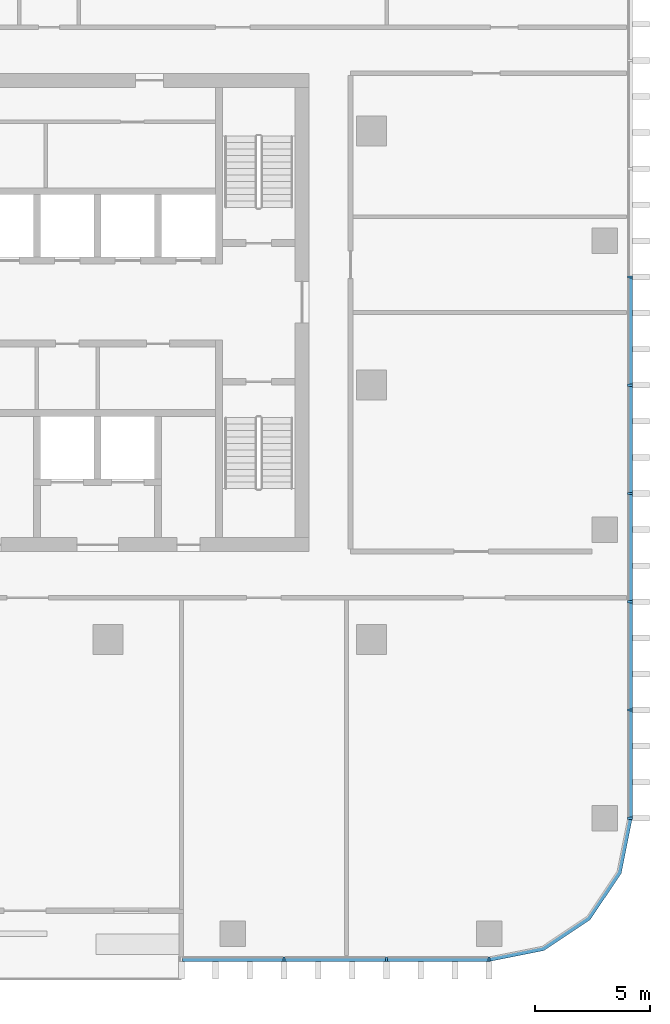
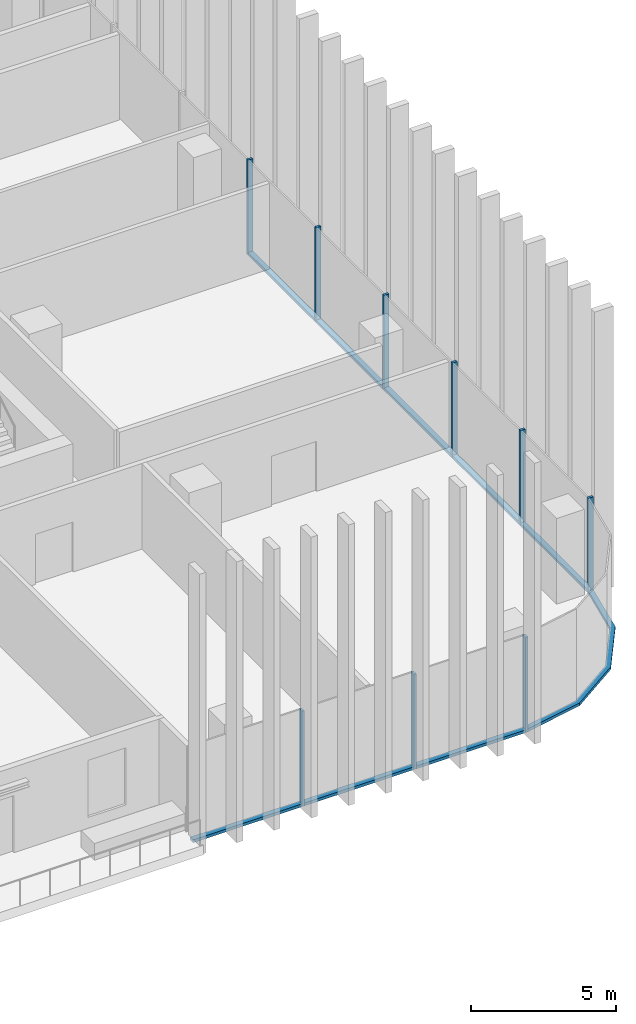
# One storey, part 3 of 16: 18 members, 3 elements without a shape of their own.
"""IFC4 building model written with IfcOpenShell, lengths in metres."""

from ifc_helpers import new_model, si_unit, direction, frame, origin, origin_2d, place, context, subcontext, project, spatial, polyline, rectangle, outline, extrude, material, material_profile, profile_set, type_object, element, aggregate, save


model = new_model("IFC4")

# Units and contexts
model_context = context("Model", 3, precision=1e-05, world=origin(), true_north=direction((0.0, 1.0)))
body_context = subcontext(model_context, "Body", "Model", "MODEL_VIEW")
ifc_project = project(units=[si_unit("LENGTHUNIT", "METRE"), si_unit("AREAUNIT", "SQUARE_METRE"), si_unit("VOLUMEUNIT", "CUBIC_METRE"), si_unit("PLANEANGLEUNIT", "RADIAN"), si_unit("MASSUNIT", "GRAM", prefix="KILO")], contexts=[model_context])

# Site, building, storey
site_placement = place(None, origin())
site = spatial("IfcSite", under=ifc_project, at=site_placement, CompositionType="ELEMENT")
building_placement = place(site_placement, origin())
building = spatial("IfcBuilding", under=site, at=building_placement, Name="Mopane Tessera Tower", CompositionType="ELEMENT")
storey_placement = place(building_placement, frame((0.0, 0.0, 247.0)))
storey = spatial("IfcBuildingStorey", under=building, at=storey_placement, Name="L53", CompositionType="ELEMENT", Elevation=247.0)

# Curtain wall, members
ifc_material_1 = material(Name="Aluminium frame", Category="aluminium")
curtain_wall_type = type_object("IfcCurtainWallType", Name="Unitised curtain wall", PredefinedType="NOTDEFINED", material=ifc_material_1)
curtain_wall_1_placement = place(storey_placement, origin())
curtain_wall_1 = element("IfcCurtainWall", 1, at=curtain_wall_1_placement, inside=storey, type_object=curtain_wall_type, Name="e:cw:L53:S:7", PredefinedType="NOTDEFINED")
ifc_material_2 = material(Name="Aluminium frame", Category="aluminium")
ifc_material_profile_1 = material_profile(ifc_material_2, rectangle(XDim=0.10009765625, YDim=0.199951171875, at=origin_2d()))
ifc_profile_set_1 = profile_set([ifc_material_profile_1], Name="Aluminium frame")
member_type_1 = type_object("IfcMemberType", Name="Aluminium mullion 100 x 200", PredefinedType="MULLION", material=ifc_profile_set_1)
member_1_placement = place(storey_placement, frame((13.320068359375, -24.85009765625, -0.39990234375), z_axis=(0.0, 0.0, 1.0), x_axis=(1.0, 0.0, 0.0)))
member_1 = element("IfcMember", 2, at=member_1_placement, type_object=member_type_1, Name="e:cw:L53:S:7:mu8", PredefinedType="MULLION", context=body_context, shape_type="SweptSolid", body=[
    extrude(rectangle(XDim=0.10009765625, YDim=0.199951171875, at=origin_2d()), origin(), (0.0, 0.0, 1.0), 4.0),
])
member_2_placement = place(storey_placement, frame((17.760009765625, -24.85009765625, -0.39990234375), z_axis=(0.0, 0.0, 1.0), x_axis=(1.0, 0.0, 0.0)))
member_2 = element("IfcMember", 3, at=member_2_placement, type_object=member_type_1, Name="e:cw:L53:S:7:mu9", PredefinedType="MULLION", context=body_context, shape_type="SweptSolid", body=[
    extrude(rectangle(XDim=0.10009765625, YDim=0.199951171875, at=origin_2d()), origin(), (0.0, 0.0, 1.0), 4.0),
])
member_3_placement = place(storey_placement, frame((22.199951171875, -24.85009765625, -0.39990234375), z_axis=(0.0, 0.0, 1.0), x_axis=(1.0, 0.0, 0.0)))
member_3 = element("IfcMember", 4, at=member_3_placement, type_object=member_type_1, Name="e:cw:L53:S:7:mu10", PredefinedType="MULLION", context=body_context, shape_type="SweptSolid", body=[
    extrude(rectangle(XDim=0.10009765625, YDim=0.199951171875, at=origin_2d()), origin(), (0.0, 0.0, 1.0), 4.0),
])

curtain_wall_2_placement = place(storey_placement, origin())
curtain_wall_2 = element("IfcCurtainWall", 5, at=curtain_wall_2_placement, inside=storey, type_object=curtain_wall_type, Name="e:cw:L53:E:0", PredefinedType="NOTDEFINED")
member_4_placement = place(storey_placement, frame((28.300048828125, -18.75, -0.39990234375), z_axis=(0.0, 0.0, 1.0), x_axis=(0.0, 1.0, 0.0)))
member_4 = element("IfcMember", 6, at=member_4_placement, type_object=member_type_1, Name="e:cw:L53:E:0:mu0", PredefinedType="MULLION", context=body_context, shape_type="SweptSolid", body=[
    extrude(rectangle(XDim=0.10009765625, YDim=0.199951171875, at=origin_2d()), origin(), (0.0, 0.0, 1.0), 4.0),
])
member_5_placement = place(storey_placement, frame((28.300048828125, -14.0625, -0.39990234375), z_axis=(0.0, 0.0, 1.0), x_axis=(0.0, 1.0, 0.0)))
member_5 = element("IfcMember", 7, at=member_5_placement, type_object=member_type_1, Name="e:cw:L53:E:0:mu1", PredefinedType="MULLION", context=body_context, shape_type="SweptSolid", body=[
    extrude(rectangle(XDim=0.10009765625, YDim=0.199951171875, at=origin_2d()), origin(), (0.0, 0.0, 1.0), 4.0),
])
member_6_placement = place(storey_placement, frame((28.300048828125, -9.375, -0.39990234375), z_axis=(0.0, 0.0, 1.0), x_axis=(0.0, 1.0, 0.0)))
member_6 = element("IfcMember", 8, at=member_6_placement, type_object=member_type_1, Name="e:cw:L53:E:0:mu2", PredefinedType="MULLION", context=body_context, shape_type="SweptSolid", body=[
    extrude(rectangle(XDim=0.10009765625, YDim=0.199951171875, at=origin_2d()), origin(), (0.0, 0.0, 1.0), 4.0),
])
member_7_placement = place(storey_placement, frame((28.300048828125, -4.6875, -0.39990234375), z_axis=(0.0, 0.0, 1.0), x_axis=(0.0, 1.0, 0.0)))
member_7 = element("IfcMember", 9, at=member_7_placement, type_object=member_type_1, Name="e:cw:L53:E:0:mu3", PredefinedType="MULLION", context=body_context, shape_type="SweptSolid", body=[
    extrude(rectangle(XDim=0.10009765625, YDim=0.199951171875, at=origin_2d()), origin(), (0.0, 0.0, 1.0), 4.0),
])
member_8_placement = place(storey_placement, frame((28.300048828125, 0.0, -0.39990234375), z_axis=(0.0, 0.0, 1.0), x_axis=(0.0, 1.0, 0.0)))
member_8 = element("IfcMember", 10, at=member_8_placement, type_object=member_type_1, Name="e:cw:L53:E:0:mu4", PredefinedType="MULLION", context=body_context, shape_type="SweptSolid", body=[
    extrude(rectangle(XDim=0.10009765625, YDim=0.199951171875, at=origin_2d()), origin(), (0.0, 0.0, 1.0), 4.0),
])
member_9_placement = place(storey_placement, frame((28.300048828125, 4.6875, -0.39990234375), z_axis=(0.0, 0.0, 1.0), x_axis=(0.0, 1.0, 0.0)))
member_9 = element("IfcMember", 11, at=member_9_placement, type_object=member_type_1, Name="e:cw:L53:E:0:mu5", PredefinedType="MULLION", context=body_context, shape_type="SweptSolid", body=[
    extrude(rectangle(XDim=0.10009765625, YDim=0.199951171875, at=origin_2d()), origin(), (0.0, 0.0, 1.0), 4.0),
])

# Member
ifc_material_3 = material(Name="Aluminium frame", Category="aluminium")
ifc_material_profile_2 = material_profile(ifc_material_3, rectangle(XDim=0.199951171875, YDim=0.1201171875, at=origin_2d()))
ifc_profile_set_2 = profile_set([ifc_material_profile_2], Name="Aluminium frame")
member_type_2 = type_object("IfcMemberType", Name="Aluminium transom 200 x 120", PredefinedType="USERDEFINED", material=ifc_profile_set_2)
member_10_placement = place(storey_placement, frame((8.929931640625, -24.85009765625, -0.340087890625), z_axis=(1.0, 0.0, 0.0), x_axis=(0.0, 1.0, 0.0)))
member_10 = element("IfcMember", 12, at=member_10_placement, type_object=member_type_2, Name="e:cw:L53:S:7:tr7", ObjectType="TRANSOM", PredefinedType="USERDEFINED", context=body_context, shape_type="SweptSolid", body=[
    extrude(rectangle(XDim=0.199951171875, YDim=0.1201171875, at=origin_2d()), origin(), (0.0, 0.0, 1.0), 4.340087890625),
])

member_11_placement = place(storey_placement, frame((13.3701171875, -24.85009765625, -0.340087890625), z_axis=(1.0, 0.0, 0.0), x_axis=(0.0, 1.0, 0.0)))
member_11 = element("IfcMember", 13, at=member_11_placement, type_object=member_type_2, Name="e:cw:L53:S:7:tr8", ObjectType="TRANSOM", PredefinedType="USERDEFINED", context=body_context, shape_type="SweptSolid", body=[
    extrude(rectangle(XDim=0.199951171875, YDim=0.1201171875, at=origin_2d()), origin(), (0.0, 0.0, 1.0), 4.33984375),
])

member_12_placement = place(storey_placement, frame((17.81005859375, -24.85009765625, -0.340087890625), z_axis=(1.0, 0.0, 0.0), x_axis=(0.0, 1.0, 0.0)))
member_12 = element("IfcMember", 14, at=member_12_placement, type_object=member_type_2, Name="e:cw:L53:S:7:tr9", ObjectType="TRANSOM", PredefinedType="USERDEFINED", context=body_context, shape_type="SweptSolid", body=[
    extrude(rectangle(XDim=0.199951171875, YDim=0.1201171875, at=origin_2d()), origin(), (0.0, 0.0, 1.0), 4.33984375),
])

aggregate(curtain_wall_1, [member_1, member_2, member_3, member_10, member_11, member_12])

# Curtain wall, member
curtain_wall_3_placement = place(storey_placement, origin())
curtain_wall_3 = element("IfcCurtainWall", 15, at=curtain_wall_3_placement, inside=storey, type_object=curtain_wall_type, Name="e:cw:L53:CS", PredefinedType="NOTDEFINED")
member_13_placement = place(storey_placement, frame((0.0, 0.0, -0.39990234375)))
member_13 = element("IfcMember", 16, at=member_13_placement, type_object=member_type_2, Name="e:cw:L53:CS:tr", ObjectType="TRANSOM", PredefinedType="USERDEFINED", context=body_context, shape_type="SweptSolid", body=[
    extrude(outline(polyline([(22.199951171875, -24.75), (24.49609375, -24.293212890625), (26.442626953125, -22.99267578125), (27.7431640625, -21.046142578125), (28.199951171875, -18.75), (28.39990234375, -18.75), (27.927978515625, -21.12255859375), (26.583984375, -23.134033203125), (24.57275390625, -24.47802734375), (22.199951171875, -24.949951171875), (22.199951171875, -24.75)])), origin(), (0.0, 0.0, 1.0), 0.119873046875),
])
aggregate(curtain_wall_3, [member_13])

# Member
member_14_placement = place(storey_placement, frame((28.300048828125, -18.699951171875, -0.340087890625), z_axis=(0.0, 1.0, 0.0), x_axis=(-1.0, 0.0, 0.0)))
member_14 = element("IfcMember", 17, at=member_14_placement, type_object=member_type_2, Name="e:cw:L53:E:0:tr0", ObjectType="TRANSOM", PredefinedType="USERDEFINED", context=body_context, shape_type="SweptSolid", body=[
    extrude(rectangle(XDim=0.199951171875, YDim=0.1201171875, at=origin_2d()), origin(), (0.0, 0.0, 1.0), 4.58740234375),
])

member_15_placement = place(storey_placement, frame((28.300048828125, -14.012451171875, -0.340087890625), z_axis=(0.0, 1.0, 0.0), x_axis=(-1.0, 0.0, 0.0)))
member_15 = element("IfcMember", 18, at=member_15_placement, type_object=member_type_2, Name="e:cw:L53:E:0:tr1", ObjectType="TRANSOM", PredefinedType="USERDEFINED", context=body_context, shape_type="SweptSolid", body=[
    extrude(rectangle(XDim=0.199951171875, YDim=0.1201171875, at=origin_2d()), origin(), (0.0, 0.0, 1.0), 4.58740234375),
])

member_16_placement = place(storey_placement, frame((28.300048828125, -9.324951171875, -0.340087890625), z_axis=(0.0, 1.0, 0.0), x_axis=(-1.0, 0.0, 0.0)))
member_16 = element("IfcMember", 19, at=member_16_placement, type_object=member_type_2, Name="e:cw:L53:E:0:tr2", ObjectType="TRANSOM", PredefinedType="USERDEFINED", context=body_context, shape_type="SweptSolid", body=[
    extrude(rectangle(XDim=0.199951171875, YDim=0.1201171875, at=origin_2d()), origin(), (0.0, 0.0, 1.0), 4.58740234375),
])

member_17_placement = place(storey_placement, frame((28.300048828125, -4.637451171875, -0.340087890625), z_axis=(0.0, 1.0, 0.0), x_axis=(-1.0, 0.0, 0.0)))
member_17 = element("IfcMember", 20, at=member_17_placement, type_object=member_type_2, Name="e:cw:L53:E:0:tr3", ObjectType="TRANSOM", PredefinedType="USERDEFINED", context=body_context, shape_type="SweptSolid", body=[
    extrude(rectangle(XDim=0.199951171875, YDim=0.1201171875, at=origin_2d()), origin(), (0.0, 0.0, 1.0), 4.58740234375),
])

member_18_placement = place(storey_placement, frame((28.300048828125, 0.050048828125, -0.340087890625), z_axis=(0.0, 1.0, 0.0), x_axis=(-1.0, 0.0, 0.0)))
member_18 = element("IfcMember", 21, at=member_18_placement, type_object=member_type_2, Name="e:cw:L53:E:0:tr4", ObjectType="TRANSOM", PredefinedType="USERDEFINED", context=body_context, shape_type="SweptSolid", body=[
    extrude(rectangle(XDim=0.199951171875, YDim=0.1201171875, at=origin_2d()), origin(), (0.0, 0.0, 1.0), 4.58740234375),
])

aggregate(curtain_wall_2, [member_4, member_5, member_6, member_7, member_8, member_9, member_14, member_15, member_16, member_17, member_18])

save(model, "model.ifc")
